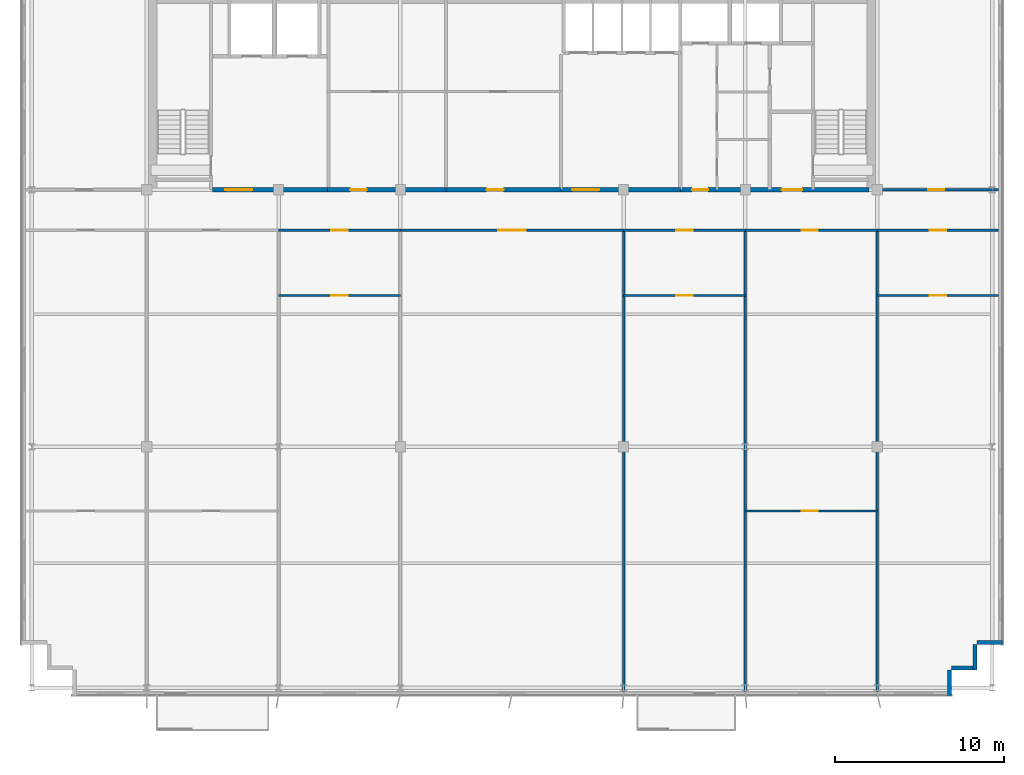
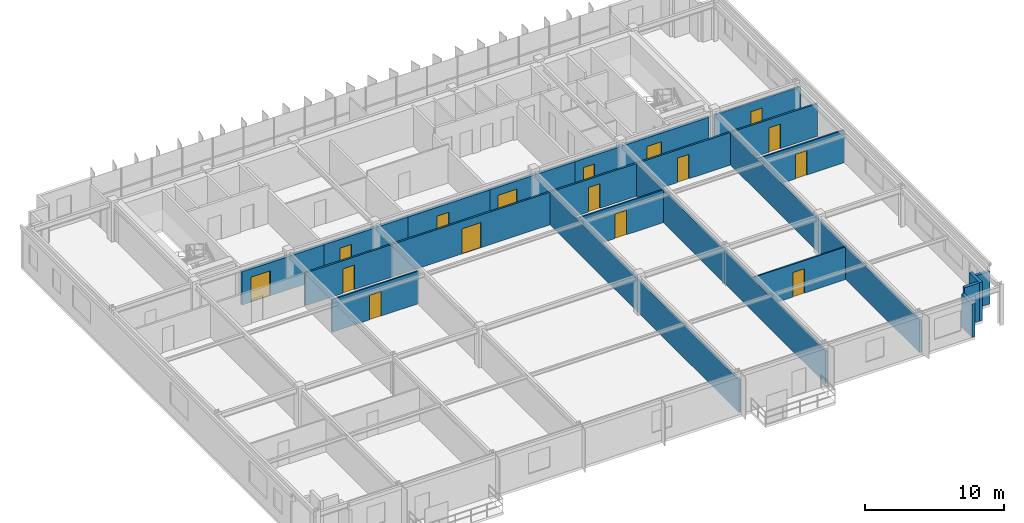
# One storey, part 17 of 21: 22 walls, 16 doors, 16 openings.
"""IFC4 building model written with IfcOpenShell, lengths in metres."""

from ifc_helpers import new_model, si_unit, direction, frame, frame_2d, origin, place, context, subcontext, project, spatial, rectangle, extrude, source, transform, mapped, material, layer, layer_set, type_object, element, fill, save


model = new_model("IFC4")

# Units and contexts
model_context = context("Model", 3, precision=1e-05, world=origin(), true_north=direction((0.0, 1.0)))
body_context = subcontext(model_context, "Body", "Model", "MODEL_VIEW")
ifc_project = project(units=[si_unit("LENGTHUNIT", "METRE"), si_unit("AREAUNIT", "SQUARE_METRE"), si_unit("VOLUMEUNIT", "CUBIC_METRE"), si_unit("PLANEANGLEUNIT", "RADIAN"), si_unit("MASSUNIT", "GRAM", prefix="KILO")], contexts=[model_context])

# Site, building, storey
site_placement = place(None, origin())
site = spatial("IfcSite", under=ifc_project, at=site_placement, CompositionType="ELEMENT")
building_placement = place(site_placement, origin())
building = spatial("IfcBuilding", under=site, at=building_placement, Name="Trelvane Seafront Commons", CompositionType="ELEMENT")
storey_placement = place(building_placement, frame((0.0, 0.0, 255.89990234375)))
storey = spatial("IfcBuildingStorey", under=building, at=storey_placement, Name="L66", CompositionType="ELEMENT", Elevation=255.89990234375)

# Walls
ifc_material_1 = material(Name="Precast concrete C40/50", Category="concrete")
ifc_layer_1 = layer(ifc_material_1, 0.239990234375, Name="ARCH-WALL-EXT240")
ifc_layer_set_1 = layer_set([ifc_layer_1], Name="Precast concrete C40/50")
wall_type_1 = type_object("IfcWallType", Name="ARCH-WALL-EXT240", PredefinedType="SOLIDWALL", material=ifc_layer_set_1)
wall_1_placement = place(storey_placement, frame((66.199951171875, 6.6201171875, 0.0), z_axis=(0.0, 0.0, 1.0), x_axis=(-1.0, 0.0, 0.0)))
element("IfcWall", 1, at=wall_1_placement, inside=storey, type_object=wall_type_1, Name="EW-L66-01334", PredefinedType="SOLIDWALL", context=body_context, shape_type="SweptSolid", body=[
    extrude(rectangle(XDim=1.5, YDim=0.239990234375, at=frame_2d((0.75, 0.0))), origin(), (0.0, 0.0, 1.0), 2.8701171875),
])
for number, where, z_axis, x_axis, name in (
    (2, (64.580078125, 6.5, 0.0), (0.0, 0.0, 1.0), (0.0, -1.0, 0.0), "EW-L66-01335"),
    (3, (64.699951171875, 5.1201171875, 0.0), (0.0, 0.0, 1.0), (-1.0, 0.0, 0.0), "EW-L66-01336"),
):
    element("IfcWall", number, at=place(storey_placement, frame(where, z_axis=z_axis, x_axis=x_axis)), inside=storey, type_object=wall_type_1, Name=name, PredefinedType="SOLIDWALL", context=body_context, shape_type="SweptSolid", body=[
        extrude(rectangle(XDim=1.5, YDim=0.239990234375, at=frame_2d((0.75, 0.0))), origin(), (0.0, 0.0, 1.0), 3.3701171875),
    ])
wall_2_placement = place(storey_placement, frame((63.080078125, 5.0, 0.0), z_axis=(0.0, 0.0, 1.0), x_axis=(0.0, -1.0, 0.0)))
element("IfcWall", 4, at=wall_2_placement, inside=storey, type_object=wall_type_1, Name="EW-L66-01337", PredefinedType="SOLIDWALL", context=body_context, shape_type="SweptSolid", body=[
    extrude(rectangle(XDim=1.5, YDim=0.239990234375, at=frame_2d((0.75, 0.0))), origin(), (0.0, 0.0, 1.0), 2.920166015625),
])

# Wall, opening, door
ifc_material_2 = material(Name="Concrete C40/50", Category="concrete")
ifc_layer_2 = layer(ifc_material_2, 0.25, Name="ARCH-WALL-FIRE250")
ifc_layer_set_2 = layer_set([ifc_layer_2], Name="Concrete C40/50")
wall_type_2 = type_object("IfcWallType", Name="ARCH-WALL-FIRE250", PredefinedType="PARTITIONING", material=ifc_layer_set_2)
wall_3_placement = place(storey_placement, frame((19.5, 33.39990234375, 0.0), z_axis=(0.0, 0.0, 1.0), x_axis=(1.0, 0.0, 0.0)))
wall_3 = element("IfcWall", 5, at=wall_3_placement, inside=storey, type_object=wall_type_2, Name="W-L66-CS-FFL-013", PredefinedType="PARTITIONING", context=body_context, shape_type="SweptSolid", body=[
    extrude(rectangle(XDim=6.800048828125, YDim=0.25, at=frame_2d((3.39990234375, 0.0))), origin(), (0.0, 0.0, 1.0), 2.920166015625),
])
opening_1_placement = place(wall_3_placement, frame((0.75, 0.0, 0.0)))
opening_1 = element("IfcOpeningElement", 6, at=opening_1_placement, cuts=wall_3, Name="Opening FD-L66-05", PredefinedType="OPENING", context=body_context, shape_type="SweptSolid", body=[
    extrude(rectangle(XDim=1.60009765625, YDim=2.199951171875, at=frame_2d((0.800048828125, 1.10009765625))), frame((0.0, 0.135009765625, 0.0), z_axis=(0.0, -1.0, 0.0), x_axis=(1.0, 0.0, 0.0)), (0.0, 0.0, 1.0), 0.27001953125),
])
ifc_material_3 = material(Name="Powder-coated aluminium frame", Category="aluminium")
door_type_1 = type_object("IfcDoorType", Name="ARCH-DR-FD60-1600", OperationType="DOUBLE_DOOR_SINGLE_SWING", PredefinedType="DOOR", material=ifc_material_3)
shared_shape_1 = source(origin(), body_context, "Body", "SweptSolid", [
    extrude(rectangle(XDim=1.60009765625, YDim=2.199951171875, at=frame_2d((0.800048828125, 1.10009765625))), frame((0.0, 0.02490234375, 0.0), z_axis=(0.0, -1.0, 0.0), x_axis=(1.0, 0.0, 0.0)), (0.0, 0.0, 1.0), 0.050048828125),
])
door_1_placement = place(opening_1_placement, origin())
door_1 = element("IfcDoor", 7, at=door_1_placement, inside=storey, type_object=door_type_1, Name="L66 Firefighting Lift Lobby Double Fire Door", OperationType="DOUBLE_DOOR_SINGLE_SWING", OverallHeight=2.199951171875, OverallWidth=1.60009765625, PredefinedType="DOOR", context=body_context, shape_type="MappedRepresentation", body=[
    mapped(shared_shape_1, transform((0.0, 0.0, 0.0), x_axis=(1.0, 0.0, 0.0), y_axis=(0.0, 1.0, 0.0), z_axis=(0.0, 0.0, 1.0), scale=1.0)),
])
fill(opening_1, door_1)

wall_4_placement = place(storey_placement, frame((26.300048828125, 33.39990234375, 0.0), z_axis=(0.0, 0.0, 1.0), x_axis=(1.0, 0.0, 0.0)))
wall_4 = element("IfcWall", 8, at=wall_4_placement, inside=storey, type_object=wall_type_2, Name="W-L66-CS-FPL-024", PredefinedType="PARTITIONING", context=body_context, shape_type="SweptSolid", body=[
    extrude(rectangle(XDim=7.0, YDim=0.25, at=frame_2d((3.5, 0.0))), origin(), (0.0, 0.0, 1.0), 2.920166015625),
])
opening_2_placement = place(wall_4_placement, frame((1.35009765625, 0.0, 0.0)))
opening_2 = element("IfcOpeningElement", 9, at=opening_2_placement, cuts=wall_4, Name="Opening D-L66-12", PredefinedType="OPENING", context=body_context, shape_type="SweptSolid", body=[
    extrude(rectangle(XDim=0.949951171875, YDim=2.14990234375, at=frame_2d((0.47509765625, 1.074951171875))), frame((0.0, 0.135009765625, 0.0), z_axis=(0.0, -1.0, 0.0), x_axis=(1.0, 0.0, 0.0)), (0.0, 0.0, 1.0), 0.27001953125),
])
ifc_material_4 = material(Name="Acoustic timber door leaf", Category="wood")
door_type_2 = type_object("IfcDoorType", Name="ARCH-DR-INT950", OperationType="NOTDEFINED", PredefinedType="DOOR", material=ifc_material_4)
shared_shape_2 = source(origin(), body_context, "Body", "SweptSolid", [
    extrude(rectangle(XDim=0.949951171875, YDim=2.14990234375, at=frame_2d((0.47509765625, 1.074951171875))), frame((0.0, 0.02490234375, 0.0), z_axis=(0.0, -1.0, 0.0), x_axis=(1.0, 0.0, 0.0)), (0.0, 0.0, 1.0), 0.050048828125),
])
door_2_placement = place(opening_2_placement, origin())
door_2 = element("IfcDoor", 10, at=door_2_placement, inside=storey, type_object=door_type_2, Name="L66 Floor Pantry Entrance Door", OperationType="SINGLE_SWING_RIGHT", OverallHeight=2.14990234375, OverallWidth=0.949951171875, PredefinedType="DOOR", context=body_context, shape_type="MappedRepresentation", body=[
    mapped(shared_shape_2, transform((0.0, 0.0, 0.0), x_axis=(1.0, 0.0, 0.0), y_axis=(0.0, 1.0, 0.0), z_axis=(0.0, 0.0, 1.0), scale=1.0)),
])
fill(opening_2, door_2)

wall_5_placement = place(storey_placement, frame((33.300048828125, 33.39990234375, 0.0), z_axis=(0.0, 0.0, 1.0), x_axis=(1.0, 0.0, 0.0)))
wall_5 = element("IfcWall", 11, at=wall_5_placement, inside=storey, type_object=wall_type_2, Name="W-L66-CS-FPM-025", PredefinedType="PARTITIONING", context=body_context, shape_type="SweptSolid", body=[
    extrude(rectangle(XDim=6.800048828125, YDim=0.25, at=frame_2d((3.39990234375, 0.0))), origin(), (0.0, 0.0, 1.0), 2.920166015625),
])
opening_3_placement = place(wall_5_placement, frame((2.39990234375, 0.0, 0.0)))
opening_3 = element("IfcOpeningElement", 12, at=opening_3_placement, cuts=wall_5, Name="Opening FD-L66-13", PredefinedType="OPENING", context=body_context, shape_type="SweptSolid", body=[
    extrude(rectangle(XDim=1.0, YDim=2.14990234375, at=frame_2d((0.5, 1.074951171875))), frame((0.0, 0.135009765625, 0.0), z_axis=(0.0, -1.0, 0.0), x_axis=(1.0, 0.0, 0.0)), (0.0, 0.0, 1.0), 0.27001953125),
])
door_type_3 = type_object("IfcDoorType", Name="ARCH-DR-FD60-1000", OperationType="NOTDEFINED", PredefinedType="DOOR", material=ifc_material_3)
shared_shape_3 = source(origin(), body_context, "Body", "SweptSolid", [
    extrude(rectangle(XDim=1.0, YDim=2.14990234375, at=frame_2d((0.5, 1.074951171875))), frame((0.0, 0.02490234375, 0.0), z_axis=(0.0, -1.0, 0.0), x_axis=(1.0, 0.0, 0.0)), (0.0, 0.0, 1.0), 0.050048828125),
])
door_3_placement = place(opening_3_placement, origin())
door_3 = element("IfcDoor", 13, at=door_3_placement, inside=storey, type_object=door_type_3, Name="L66 Trunk Storage Door", OperationType="SINGLE_SWING_LEFT", OverallHeight=2.14990234375, OverallWidth=1.0, PredefinedType="DOOR", context=body_context, shape_type="MappedRepresentation", body=[
    mapped(shared_shape_3, transform((0.0, 0.0, 0.0), x_axis=(1.0, 0.0, 0.0), y_axis=(0.0, 1.0, 0.0), z_axis=(0.0, 0.0, 1.0), scale=1.0)),
])
fill(opening_3, door_3)

wall_6_placement = place(storey_placement, frame((40.10009765625, 33.39990234375, 0.0), z_axis=(0.0, 0.0, 1.0), x_axis=(1.0, 0.0, 0.0)))
wall_6 = element("IfcWall", 14, at=wall_6_placement, inside=storey, type_object=wall_type_2, Name="W-L66-CS-PAX-026", PredefinedType="PARTITIONING", context=body_context, shape_type="SweptSolid", body=[
    extrude(rectangle(XDim=7.0498046875, YDim=0.25, at=frame_2d((3.52490234375, 0.0))), origin(), (0.0, 0.0, 1.0), 2.920166015625),
])
opening_4_placement = place(wall_6_placement, frame((0.64990234375, 0.0, 0.0)))
opening_4 = element("IfcOpeningElement", 15, at=opening_4_placement, cuts=wall_6, Name="Opening FD-L66-14", PredefinedType="OPENING", context=body_context, shape_type="SweptSolid", body=[
    extrude(rectangle(XDim=1.60009765625, YDim=2.199951171875, at=frame_2d((0.800048828125, 1.10009765625))), frame((0.0, 0.135009765625, 0.0), z_axis=(0.0, -1.0, 0.0), x_axis=(1.0, 0.0, 0.0)), (0.0, 0.0, 1.0), 0.27001953125),
])
door_4_placement = place(opening_4_placement, origin())
door_4 = element("IfcDoor", 16, at=door_4_placement, inside=storey, type_object=door_type_1, Name="L66 High-Rise Lift Lobby Double Door", OperationType="DOUBLE_DOOR_SINGLE_SWING", OverallHeight=2.199951171875, OverallWidth=1.60009765625, PredefinedType="DOOR", context=body_context, shape_type="MappedRepresentation", body=[
    mapped(shared_shape_1, transform((0.0, 0.0, 0.0), x_axis=(1.0, 0.0, 0.0), y_axis=(0.0, 1.0, 0.0), z_axis=(0.0, 0.0, 1.0), scale=1.0)),
])
fill(opening_4, door_4)

# Wall, openings, doors
wall_7_placement = place(storey_placement, frame((47.14990234375, 33.39990234375, 0.0), z_axis=(0.0, 0.0, 1.0), x_axis=(1.0, 0.0, 0.0)))
wall_7 = element("IfcWall", 17, at=wall_7_placement, inside=storey, type_object=wall_type_2, Name="W-L66-CS-EAST-035", PredefinedType="PARTITIONING", context=body_context, shape_type="SweptSolid", body=[
    extrude(rectangle(XDim=11.150146484375, YDim=0.25, at=frame_2d((5.5751953125, 0.0))), origin(), (0.0, 0.0, 1.0), 2.920166015625),
])
opening_5_placement = place(wall_7_placement, frame((0.699951171875, 0.0, 0.0)))
opening_5 = element("IfcOpeningElement", 18, at=opening_5_placement, cuts=wall_7, Name="Opening FD-L66-21", PredefinedType="OPENING", context=body_context, shape_type="SweptSolid", body=[
    extrude(rectangle(XDim=0.949951171875, YDim=2.14990234375, at=frame_2d((0.47509765625, 1.074951171875))), frame((0.0, 0.135009765625, 0.0), z_axis=(0.0, -1.0, 0.0), x_axis=(1.0, 0.0, 0.0)), (0.0, 0.0, 1.0), 0.27001953125),
])
opening_6_placement = place(wall_7_placement, frame((6.0, 0.0, 0.0)))
opening_6 = element("IfcOpeningElement", 19, at=opening_6_placement, cuts=wall_7, Name="Opening FD-L66-22", PredefinedType="OPENING", context=body_context, shape_type="SweptSolid", body=[
    extrude(rectangle(XDim=1.199951171875, YDim=2.14990234375, at=frame_2d((0.60009765625, 1.074951171875))), frame((0.0, 0.135009765625, 0.0), z_axis=(0.0, -1.0, 0.0), x_axis=(1.0, 0.0, 0.0)), (0.0, 0.0, 1.0), 0.27001953125),
])
door_type_4 = type_object("IfcDoorType", Name="ARCH-DR-FD60-950", OperationType="NOTDEFINED", PredefinedType="DOOR", material=ifc_material_3)
door_5_placement = place(opening_5_placement, origin())
door_5 = element("IfcDoor", 20, at=door_5_placement, inside=storey, type_object=door_type_4, Name="L66 Core Service Lobby Door", OperationType="SINGLE_SWING_LEFT", OverallHeight=2.14990234375, OverallWidth=0.949951171875, PredefinedType="DOOR", context=body_context, shape_type="MappedRepresentation", body=[
    mapped(shared_shape_2, transform((0.0, 0.0, 0.0), x_axis=(1.0, 0.0, 0.0), y_axis=(0.0, 1.0, 0.0), z_axis=(0.0, 0.0, 1.0), scale=1.0)),
])
fill(opening_5, door_5)
door_type_5 = type_object("IfcDoorType", Name="ARCH-DR-FD60-1200", OperationType="NOTDEFINED", PredefinedType="DOOR", material=ifc_material_3)
shared_shape_4 = source(origin(), body_context, "Body", "SweptSolid", [
    extrude(rectangle(XDim=1.199951171875, YDim=2.14990234375, at=frame_2d((0.60009765625, 1.074951171875))), frame((0.0, 0.02490234375, 0.0), z_axis=(0.0, -1.0, 0.0), x_axis=(1.0, 0.0, 0.0)), (0.0, 0.0, 1.0), 0.050048828125),
])
door_6_placement = place(opening_6_placement, origin())
door_6 = element("IfcDoor", 21, at=door_6_placement, inside=storey, type_object=door_type_5, Name="L66 East Stair Vestibule Fire Door", OperationType="SINGLE_SWING_RIGHT", OverallHeight=2.14990234375, OverallWidth=1.199951171875, PredefinedType="DOOR", context=body_context, shape_type="MappedRepresentation", body=[
    mapped(shared_shape_4, transform((0.0, 0.0, 0.0), x_axis=(1.0, 0.0, 0.0), y_axis=(0.0, 1.0, 0.0), z_axis=(0.0, 0.0, 1.0), scale=1.0)),
])
fill(opening_6, door_6)

# Wall, opening, door
ifc_material_5 = material(Name="Gypsum Drywall Acoustic Partition")
ifc_layer_3 = layer(ifc_material_5, 0.1201171875, Name="ARCH-WALL-PART120")
ifc_layer_set_3 = layer_set([ifc_layer_3], Name="Gypsum Drywall Acoustic Partition")
wall_type_3 = type_object("IfcWallType", Name="ARCH-WALL-PART120", PredefinedType="PARTITIONING", material=ifc_layer_set_3)
wall_8_placement = place(storey_placement, frame((23.39990234375, 27.14990234375, 0.0), z_axis=(0.0, 0.0, 1.0), x_axis=(1.0, 0.0, 0.0)))
wall_8 = element("IfcWall", 22, at=wall_8_placement, inside=storey, type_object=wall_type_3, Name="W-L66-U3-DIV-052", PredefinedType="PARTITIONING", context=body_context, shape_type="SweptSolid", body=[
    extrude(rectangle(XDim=7.2001953125, YDim=0.1201171875, at=frame_2d((3.60009765625, 0.0))), origin(), (0.0, 0.0, 1.0), 2.8701171875),
])
opening_7_placement = place(wall_8_placement, frame((3.125, 0.0, 0.0)))
opening_7 = element("IfcOpeningElement", 23, at=opening_7_placement, cuts=wall_8, Name="Opening D-L66-33", PredefinedType="OPENING", context=body_context, shape_type="SweptSolid", body=[
    extrude(rectangle(XDim=0.949951171875, YDim=2.14990234375, at=frame_2d((0.47509765625, 1.074951171875))), frame((0.0, 0.070068359375, 0.0), z_axis=(0.0, -1.0, 0.0), x_axis=(1.0, 0.0, 0.0)), (0.0, 0.0, 1.0), 0.14013671875),
])
door_7_placement = place(opening_7_placement, origin())
door_7 = element("IfcDoor", 24, at=door_7_placement, inside=storey, type_object=door_type_2, Name="L66 Door 33", OperationType="SINGLE_SWING_LEFT", OverallHeight=2.14990234375, OverallWidth=0.949951171875, PredefinedType="DOOR", context=body_context, shape_type="MappedRepresentation", body=[
    mapped(shared_shape_2, transform((0.0, 0.0, 0.0), x_axis=(1.0, 0.0, 0.0), y_axis=(0.0, 1.0, 0.0), z_axis=(0.0, 0.0, 1.0), scale=1.0)),
])
fill(opening_7, door_7)

wall_9_placement = place(storey_placement, frame((43.800048828125, 27.14990234375, 0.0), z_axis=(0.0, 0.0, 1.0), x_axis=(1.0, 0.0, 0.0)))
wall_9 = element("IfcWall", 25, at=wall_9_placement, inside=storey, type_object=wall_type_3, Name="W-L66-U5-DIV-055", PredefinedType="PARTITIONING", context=body_context, shape_type="SweptSolid", body=[
    extrude(rectangle(XDim=7.199951171875, YDim=0.1201171875, at=frame_2d((3.60009765625, 0.0))), origin(), (0.0, 0.0, 1.0), 2.8701171875),
])
opening_8_placement = place(wall_9_placement, frame((3.125, 0.0, 0.0)))
opening_8 = element("IfcOpeningElement", 26, at=opening_8_placement, cuts=wall_9, Name="Opening D-L66-36", PredefinedType="OPENING", context=body_context, shape_type="SweptSolid", body=[
    extrude(rectangle(XDim=0.949951171875, YDim=2.14990234375, at=frame_2d((0.47509765625, 1.074951171875))), frame((0.0, 0.070068359375, 0.0), z_axis=(0.0, -1.0, 0.0), x_axis=(1.0, 0.0, 0.0)), (0.0, 0.0, 1.0), 0.14013671875),
])
door_8_placement = place(opening_8_placement, origin())
door_8 = element("IfcDoor", 27, at=door_8_placement, inside=storey, type_object=door_type_2, Name="L66 Door 36", OperationType="SINGLE_SWING_RIGHT", OverallHeight=2.14990234375, OverallWidth=0.949951171875, PredefinedType="DOOR", context=body_context, shape_type="MappedRepresentation", body=[
    mapped(shared_shape_2, transform((0.0, 0.0, 0.0), x_axis=(1.0, 0.0, 0.0), y_axis=(0.0, 1.0, 0.0), z_axis=(0.0, 0.0, 1.0), scale=1.0)),
])
fill(opening_8, door_8)

wall_10_placement = place(storey_placement, frame((51.0, 14.39990234375, 0.0), z_axis=(0.0, 0.0, 1.0), x_axis=(1.0, 0.0, 0.0)))
wall_10 = element("IfcWall", 28, at=wall_10_placement, inside=storey, type_object=wall_type_3, Name="W-L66-U6-DIV-057", PredefinedType="PARTITIONING", context=body_context, shape_type="SweptSolid", body=[
    extrude(rectangle(XDim=7.800048828125, YDim=0.1201171875, at=frame_2d((3.89990234375, 0.0))), origin(), (0.0, 0.0, 1.0), 2.8701171875),
])
opening_9_placement = place(wall_10_placement, frame((3.3330078125, 0.0, 0.0)))
opening_9 = element("IfcOpeningElement", 29, at=opening_9_placement, cuts=wall_10, Name="Opening D-L66-38", PredefinedType="OPENING", context=body_context, shape_type="SweptSolid", body=[
    extrude(rectangle(XDim=0.949951171875, YDim=2.14990234375, at=frame_2d((0.47509765625, 1.074951171875))), frame((0.0, 0.070068359375, 0.0), z_axis=(0.0, -1.0, 0.0), x_axis=(1.0, 0.0, 0.0)), (0.0, 0.0, 1.0), 0.14013671875),
])
door_9_placement = place(opening_9_placement, origin())
door_9 = element("IfcDoor", 30, at=door_9_placement, inside=storey, type_object=door_type_2, Name="L66 Door 38", OperationType="SINGLE_SWING_RIGHT", OverallHeight=2.14990234375, OverallWidth=0.949951171875, PredefinedType="DOOR", context=body_context, shape_type="MappedRepresentation", body=[
    mapped(shared_shape_2, transform((0.0, 0.0, 0.0), x_axis=(1.0, 0.0, 0.0), y_axis=(0.0, 1.0, 0.0), z_axis=(0.0, 0.0, 1.0), scale=1.0)),
])
fill(opening_9, door_9)

wall_11_placement = place(storey_placement, frame((58.800048828125, 27.14990234375, 0.0), z_axis=(0.0, 0.0, 1.0), x_axis=(1.0, 0.0, 0.0)))
wall_11 = element("IfcWall", 31, at=wall_11_placement, inside=storey, type_object=wall_type_3, Name="W-L66-U7-DIV-059", PredefinedType="PARTITIONING", context=body_context, shape_type="SweptSolid", body=[
    extrude(rectangle(XDim=7.175048828125, YDim=0.1201171875, at=frame_2d((3.58740234375, 0.0))), origin(), (0.0, 0.0, 1.0), 2.8701171875),
])
opening_10_placement = place(wall_11_placement, frame((3.112060546875, 0.0, 0.0)))
opening_10 = element("IfcOpeningElement", 32, at=opening_10_placement, cuts=wall_11, Name="Opening D-L66-40", PredefinedType="OPENING", context=body_context, shape_type="SweptSolid", body=[
    extrude(rectangle(XDim=0.949951171875, YDim=2.14990234375, at=frame_2d((0.47509765625, 1.074951171875))), frame((0.0, 0.070068359375, 0.0), z_axis=(0.0, -1.0, 0.0), x_axis=(1.0, 0.0, 0.0)), (0.0, 0.0, 1.0), 0.14013671875),
])
door_10_placement = place(opening_10_placement, origin())
door_10 = element("IfcDoor", 33, at=door_10_placement, inside=storey, type_object=door_type_2, Name="L66 Door 40", OperationType="SINGLE_SWING_RIGHT", OverallHeight=2.14990234375, OverallWidth=0.949951171875, PredefinedType="DOOR", context=body_context, shape_type="MappedRepresentation", body=[
    mapped(shared_shape_2, transform((0.0, 0.0, 0.0), x_axis=(1.0, 0.0, 0.0), y_axis=(0.0, 1.0, 0.0), z_axis=(0.0, 0.0, 1.0), scale=1.0)),
])
fill(opening_10, door_10)

ifc_layer_4 = layer(ifc_material_5, 0.14990234375, Name="ARCH-WALL-PART150")
ifc_layer_set_4 = layer_set([ifc_layer_4], Name="Gypsum Drywall Acoustic Partition")
wall_type_4 = type_object("IfcWallType", Name="ARCH-WALL-PART150", PredefinedType="PARTITIONING", material=ifc_layer_set_4)
wall_12_placement = place(storey_placement, frame((58.800048828125, 33.39990234375, 0.0), z_axis=(0.0, 0.0, 1.0), x_axis=(1.0, 0.0, 0.0)))
wall_12 = element("IfcWall", 34, at=wall_12_placement, inside=storey, type_object=wall_type_4, Name="W-L66-NE-ENT-037", PredefinedType="PARTITIONING", context=body_context, shape_type="SweptSolid", body=[
    extrude(rectangle(XDim=7.14990234375, YDim=0.14990234375, at=frame_2d((3.574951171875, 0.0))), origin(), (0.0, 0.0, 1.0), 2.920166015625),
])
opening_11_placement = place(wall_12_placement, frame((3.0, 0.0, 0.0)))
opening_11 = element("IfcOpeningElement", 35, at=opening_11_placement, cuts=wall_12, Name="Opening FD-L66-24", PredefinedType="OPENING", context=body_context, shape_type="SweptSolid", body=[
    extrude(rectangle(XDim=0.949951171875, YDim=2.14990234375, at=frame_2d((0.47509765625, 1.074951171875))), frame((0.0, 0.0849609375, 0.0), z_axis=(0.0, -1.0, 0.0), x_axis=(1.0, 0.0, 0.0)), (0.0, 0.0, 1.0), 0.169921875),
])
door_11_placement = place(opening_11_placement, origin())
door_11 = element("IfcDoor", 36, at=door_11_placement, inside=storey, type_object=door_type_4, Name="L66 NE Suite Entrance Door", OperationType="SINGLE_SWING_RIGHT", OverallHeight=2.14990234375, OverallWidth=0.949951171875, PredefinedType="DOOR", context=body_context, shape_type="MappedRepresentation", body=[
    mapped(shared_shape_2, transform((0.0, 0.0, 0.0), x_axis=(1.0, 0.0, 0.0), y_axis=(0.0, 1.0, 0.0), z_axis=(0.0, 0.0, 1.0), scale=1.0)),
])
fill(opening_11, door_11)

# Walls
for number, where, z_axis, x_axis, name in (
    (37, (43.800048828125, 3.72509765625, 0.0), (0.0, 0.0, 1.0), (0.0, 1.0, 0.0), "W-L66-PW-4-044"),
    (38, (51.0, 3.72509765625, 0.0), (0.0, 0.0, 1.0), (0.0, 1.0, 0.0), "W-L66-PW-5-045"),
    (39, (58.800048828125, 3.72509765625, 0.0), (0.0, 0.0, 1.0), (0.0, 1.0, 0.0), "W-L66-PW-6-046"),
):
    element("IfcWall", number, at=place(storey_placement, frame(where, z_axis=z_axis, x_axis=x_axis)), inside=storey, type_object=wall_type_4, Name=name, PredefinedType="PARTITIONING", context=body_context, shape_type="SweptSolid", body=[
        extrude(rectangle(XDim=27.27490234375, YDim=0.14990234375, at=frame_2d((13.637451171875, 0.0))), origin(), (0.0, 0.0, 1.0), 2.8701171875),
    ])

# Wall, opening, door
wall_13_placement = place(storey_placement, frame((23.39990234375, 31.0, 0.0), z_axis=(0.0, 0.0, 1.0), x_axis=(1.0, 0.0, 0.0)))
wall_13 = element("IfcWall", 40, at=wall_13_placement, inside=storey, type_object=wall_type_4, Name="W-L66-CS-BAY-3-051", PredefinedType="PARTITIONING", context=body_context, shape_type="SweptSolid", body=[
    extrude(rectangle(XDim=7.2001953125, YDim=0.14990234375, at=frame_2d((3.60009765625, 0.0))), origin(), (0.0, 0.0, 1.0), 2.8701171875),
])
opening_12_placement = place(wall_13_placement, frame((3.125, 0.0, 0.0)))
opening_12 = element("IfcOpeningElement", 41, at=opening_12_placement, cuts=wall_13, Name="Opening FD-L66-32", PredefinedType="OPENING", context=body_context, shape_type="SweptSolid", body=[
    extrude(rectangle(XDim=0.949951171875, YDim=2.14990234375, at=frame_2d((0.47509765625, 1.074951171875))), frame((0.0, 0.0849609375, 0.0), z_axis=(0.0, -1.0, 0.0), x_axis=(1.0, 0.0, 0.0)), (0.0, 0.0, 1.0), 0.169921875),
])
door_12_placement = place(opening_12_placement, origin())
door_12 = element("IfcDoor", 42, at=door_12_placement, inside=storey, type_object=door_type_4, Name="L66 Bay 03 Entrance Door", OperationType="SINGLE_SWING_RIGHT", OverallHeight=2.14990234375, OverallWidth=0.949951171875, PredefinedType="DOOR", context=body_context, shape_type="MappedRepresentation", body=[
    mapped(shared_shape_2, transform((0.0, 0.0, 0.0), x_axis=(1.0, 0.0, 0.0), y_axis=(0.0, 1.0, 0.0), z_axis=(0.0, 0.0, 1.0), scale=1.0)),
])
fill(opening_12, door_12)

wall_14_placement = place(storey_placement, frame((30.60009765625, 31.0, 0.0), z_axis=(0.0, 0.0, 1.0), x_axis=(1.0, 0.0, 0.0)))
wall_14 = element("IfcWall", 43, at=wall_14_placement, inside=storey, type_object=wall_type_4, Name="W-L66-CS-BAY-4-053", PredefinedType="PARTITIONING", context=body_context, shape_type="SweptSolid", body=[
    extrude(rectangle(XDim=13.199951171875, YDim=0.14990234375, at=frame_2d((6.60009765625, 0.0))), origin(), (0.0, 0.0, 1.0), 2.8701171875),
])
opening_13_placement = place(wall_14_placement, frame((5.800048828125, 0.0, 0.0)))
opening_13 = element("IfcOpeningElement", 44, at=opening_13_placement, cuts=wall_14, Name="Opening D-L66-34", PredefinedType="OPENING", context=body_context, shape_type="SweptSolid", body=[
    extrude(rectangle(XDim=1.60009765625, YDim=2.199951171875, at=frame_2d((0.800048828125, 1.10009765625))), frame((0.0, 0.0849609375, 0.0), z_axis=(0.0, -1.0, 0.0), x_axis=(1.0, 0.0, 0.0)), (0.0, 0.0, 1.0), 0.169921875),
])
door_type_6 = type_object("IfcDoorType", Name="ARCH-DR-GLZ1600", OperationType="DOUBLE_DOOR_SINGLE_SWING", PredefinedType="DOOR", material=ifc_material_4)
door_13_placement = place(opening_13_placement, origin())
door_13 = element("IfcDoor", 45, at=door_13_placement, inside=storey, type_object=door_type_6, Name="L66 Commons Lounge 04 Door", OperationType="DOUBLE_DOOR_SINGLE_SWING", OverallHeight=2.199951171875, OverallWidth=1.60009765625, PredefinedType="DOOR", context=body_context, shape_type="MappedRepresentation", body=[
    mapped(shared_shape_1, transform((0.0, 0.0, 0.0), x_axis=(1.0, 0.0, 0.0), y_axis=(0.0, 1.0, 0.0), z_axis=(0.0, 0.0, 1.0), scale=1.0)),
])
fill(opening_13, door_13)

wall_15_placement = place(storey_placement, frame((43.800048828125, 31.0, 0.0), z_axis=(0.0, 0.0, 1.0), x_axis=(1.0, 0.0, 0.0)))
wall_15 = element("IfcWall", 46, at=wall_15_placement, inside=storey, type_object=wall_type_4, Name="W-L66-CS-BAY-5-054", PredefinedType="PARTITIONING", context=body_context, shape_type="SweptSolid", body=[
    extrude(rectangle(XDim=7.199951171875, YDim=0.14990234375, at=frame_2d((3.60009765625, 0.0))), origin(), (0.0, 0.0, 1.0), 2.8701171875),
])
opening_14_placement = place(wall_15_placement, frame((3.125, 0.0, 0.0)))
opening_14 = element("IfcOpeningElement", 47, at=opening_14_placement, cuts=wall_15, Name="Opening FD-L66-35", PredefinedType="OPENING", context=body_context, shape_type="SweptSolid", body=[
    extrude(rectangle(XDim=0.949951171875, YDim=2.14990234375, at=frame_2d((0.47509765625, 1.074951171875))), frame((0.0, 0.0849609375, 0.0), z_axis=(0.0, -1.0, 0.0), x_axis=(1.0, 0.0, 0.0)), (0.0, 0.0, 1.0), 0.169921875),
])
door_14_placement = place(opening_14_placement, origin())
door_14 = element("IfcDoor", 48, at=door_14_placement, inside=storey, type_object=door_type_4, Name="L66 Bay 05 Entrance Door", OperationType="SINGLE_SWING_LEFT", OverallHeight=2.14990234375, OverallWidth=0.949951171875, PredefinedType="DOOR", context=body_context, shape_type="MappedRepresentation", body=[
    mapped(shared_shape_2, transform((0.0, 0.0, 0.0), x_axis=(1.0, 0.0, 0.0), y_axis=(0.0, 1.0, 0.0), z_axis=(0.0, 0.0, 1.0), scale=1.0)),
])
fill(opening_14, door_14)

wall_16_placement = place(storey_placement, frame((51.0, 31.0, 0.0), z_axis=(0.0, 0.0, 1.0), x_axis=(1.0, 0.0, 0.0)))
wall_16 = element("IfcWall", 49, at=wall_16_placement, inside=storey, type_object=wall_type_4, Name="W-L66-CS-BAY-6-056", PredefinedType="PARTITIONING", context=body_context, shape_type="SweptSolid", body=[
    extrude(rectangle(XDim=7.800048828125, YDim=0.14990234375, at=frame_2d((3.89990234375, 0.0))), origin(), (0.0, 0.0, 1.0), 2.8701171875),
])
opening_15_placement = place(wall_16_placement, frame((3.3330078125, 0.0, 0.0)))
opening_15 = element("IfcOpeningElement", 50, at=opening_15_placement, cuts=wall_16, Name="Opening FD-L66-37", PredefinedType="OPENING", context=body_context, shape_type="SweptSolid", body=[
    extrude(rectangle(XDim=0.949951171875, YDim=2.14990234375, at=frame_2d((0.47509765625, 1.074951171875))), frame((0.0, 0.0849609375, 0.0), z_axis=(0.0, -1.0, 0.0), x_axis=(1.0, 0.0, 0.0)), (0.0, 0.0, 1.0), 0.169921875),
])
door_15_placement = place(opening_15_placement, origin())
door_15 = element("IfcDoor", 51, at=door_15_placement, inside=storey, type_object=door_type_4, Name="L66 Bay 06 Entrance Door", OperationType="SINGLE_SWING_LEFT", OverallHeight=2.14990234375, OverallWidth=0.949951171875, PredefinedType="DOOR", context=body_context, shape_type="MappedRepresentation", body=[
    mapped(shared_shape_2, transform((0.0, 0.0, 0.0), x_axis=(1.0, 0.0, 0.0), y_axis=(0.0, 1.0, 0.0), z_axis=(0.0, 0.0, 1.0), scale=1.0)),
])
fill(opening_15, door_15)

wall_17_placement = place(storey_placement, frame((58.800048828125, 31.0, 0.0), z_axis=(0.0, 0.0, 1.0), x_axis=(1.0, 0.0, 0.0)))
wall_17 = element("IfcWall", 52, at=wall_17_placement, inside=storey, type_object=wall_type_4, Name="W-L66-CS-BAY-7-058", PredefinedType="PARTITIONING", context=body_context, shape_type="SweptSolid", body=[
    extrude(rectangle(XDim=7.175048828125, YDim=0.14990234375, at=frame_2d((3.58740234375, 0.0))), origin(), (0.0, 0.0, 1.0), 2.8701171875),
])
opening_16_placement = place(wall_17_placement, frame((3.112060546875, 0.0, 0.0)))
opening_16 = element("IfcOpeningElement", 53, at=opening_16_placement, cuts=wall_17, Name="Opening FD-L66-39", PredefinedType="OPENING", context=body_context, shape_type="SweptSolid", body=[
    extrude(rectangle(XDim=0.949951171875, YDim=2.14990234375, at=frame_2d((0.47509765625, 1.074951171875))), frame((0.0, 0.0849609375, 0.0), z_axis=(0.0, -1.0, 0.0), x_axis=(1.0, 0.0, 0.0)), (0.0, 0.0, 1.0), 0.169921875),
])
door_16_placement = place(opening_16_placement, origin())
door_16 = element("IfcDoor", 54, at=door_16_placement, inside=storey, type_object=door_type_4, Name="L66 Bay 07 Entrance Door", OperationType="SINGLE_SWING_LEFT", OverallHeight=2.14990234375, OverallWidth=0.949951171875, PredefinedType="DOOR", context=body_context, shape_type="MappedRepresentation", body=[
    mapped(shared_shape_2, transform((0.0, 0.0, 0.0), x_axis=(1.0, 0.0, 0.0), y_axis=(0.0, 1.0, 0.0), z_axis=(0.0, 0.0, 1.0), scale=1.0)),
])
fill(opening_16, door_16)

save(model, "model.ifc")
